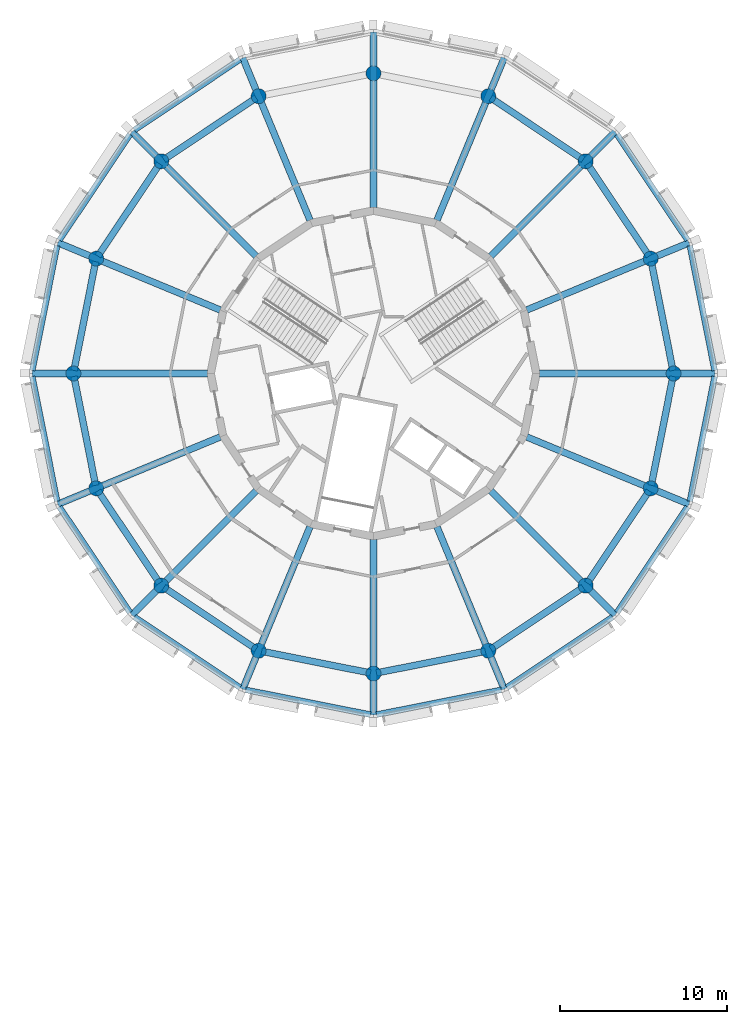
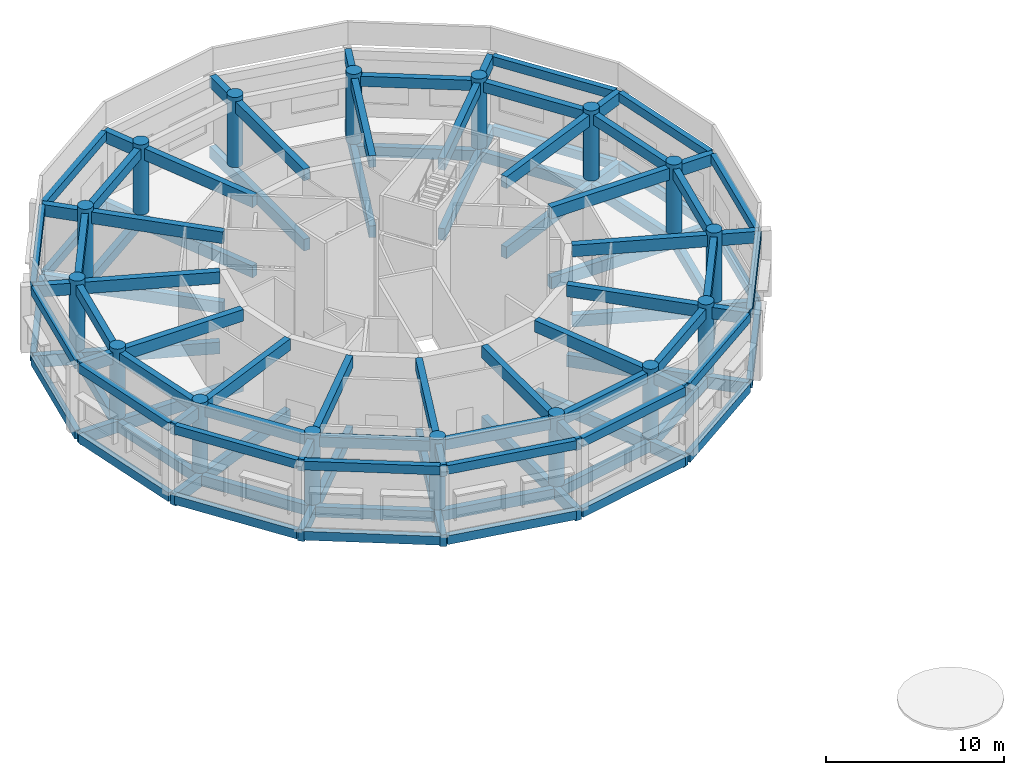
# One storey, part 1 of 8: 86 beams, 16 columns.
"""IFC4 building model written with IfcOpenShell, lengths in metres."""

from ifc_helpers import new_model, si_unit, direction, frame, origin, origin_2d, place, context, subcontext, project, spatial, rectangle, circle, extrude, material, material_profile, profile_set, type_object, element, save


model = new_model("IFC4")

# Units and contexts
model_context = context("Model", 3, precision=1e-05, world=origin(), true_north=direction((0.0, 1.0)))
body_context = subcontext(model_context, "Body", "Model", "MODEL_VIEW")
ifc_project = project(units=[si_unit("LENGTHUNIT", "METRE"), si_unit("AREAUNIT", "SQUARE_METRE"), si_unit("VOLUMEUNIT", "CUBIC_METRE"), si_unit("PLANEANGLEUNIT", "RADIAN"), si_unit("MASSUNIT", "GRAM", prefix="KILO")], contexts=[model_context])

# Site, building, storey
site_placement = place(None, origin())
site = spatial("IfcSite", under=ifc_project, at=site_placement, CompositionType="ELEMENT")
building_placement = place(site_placement, origin())
building = spatial("IfcBuilding", under=site, at=building_placement, Name="Ceibo Conservatory and Research Tower", CompositionType="ELEMENT")
storey_placement = place(building_placement, frame((0.0, 0.0, 20.39990234375)))
storey = spatial("IfcBuildingStorey", under=building, at=storey_placement, Name="L04", CompositionType="ELEMENT", Elevation=20.39990234375)

# Columns
ifc_material = material(Name="Concrete C35/45", Category="concrete")
ifc_material_profile_1 = material_profile(ifc_material, circle(Radius=0.449951171875, at=origin_2d()), Name="RC D900")
ifc_profile_set_1 = profile_set([ifc_material_profile_1], Name="Concrete C35/45")
column_type = type_object("IfcColumnType", Name="RC column D900 C35", PredefinedType="COLUMN", material=ifc_profile_set_1)
for number, where, z_axis, x_axis, name in (
    (1, (66.0, 120.0, 0.0), (0.0, 0.0, 1.0), (1.0, 0.0, 0.0), "Column R1 L04"),
    (2, (64.6298828125, 126.88818359375, 0.0), (0.0, 0.0, 1.0), (1.0, 0.0, 0.0), "Column R2 L04"),
    (3, (60.72802734375, 132.72802734375, 0.0), (0.0, 0.0, 1.0), (1.0, 0.0, 0.0), "Column R3 L04"),
    (4, (54.88818359375, 136.6298828125, 0.0), (0.0, 0.0, 1.0), (1.0, 0.0, 0.0), "Column R4 L04"),
    (5, (48.0, 138.0, 0.0), (0.0, 0.0, 1.0), (1.0, 0.0, 0.0), "Column R5 L04"),
    (6, (41.11181640625, 136.6298828125, 0.0), (0.0, 0.0, 1.0), (1.0, 0.0, 0.0), "Column R6 L04"),
    (7, (35.27197265625, 132.72802734375, 0.0), (0.0, 0.0, 1.0), (1.0, 0.0, 0.0), "Column R7 L04"),
    (8, (31.3701171875, 126.88818359375, 0.0), (0.0, 0.0, 1.0), (1.0, 0.0, 0.0), "Column R8 L04"),
    (9, (30.0, 120.0, 0.0), (0.0, 0.0, 1.0), (1.0, 0.0, 0.0), "Column R9 L04"),
    (10, (31.3701171875, 113.11181640625, 0.0), (0.0, 0.0, 1.0), (1.0, 0.0, 0.0), "Column R10 L04"),
    (11, (35.27197265625, 107.27197265625, 0.0), (0.0, 0.0, 1.0), (1.0, 0.0, 0.0), "Column R11 L04"),
    (12, (41.11181640625, 103.3701171875, 0.0), (0.0, 0.0, 1.0), (1.0, 0.0, 0.0), "Column R12 L04"),
    (13, (48.0, 102.0, 0.0), (0.0, 0.0, 1.0), (1.0, 0.0, 0.0), "Column R13 L04"),
    (14, (54.88818359375, 103.3701171875, 0.0), (0.0, 0.0, 1.0), (1.0, 0.0, 0.0), "Column R14 L04"),
    (15, (60.72802734375, 107.27197265625, 0.0), (0.0, 0.0, 1.0), (1.0, 0.0, 0.0), "Column R15 L04"),
    (16, (64.6298828125, 113.11181640625, 0.0), (0.0, 0.0, 1.0), (1.0, 0.0, 0.0), "Column R16 L04"),
):
    element("IfcColumn", number, at=place(storey_placement, frame(where, z_axis=z_axis, x_axis=x_axis)), inside=storey, type_object=column_type, Name=name, PredefinedType="COLUMN", context=body_context, shape_type="SweptSolid", body=[
        extrude(circle(Radius=0.449951171875, at=origin_2d()), origin(), (0.0, 0.0, 1.0), 4.800048828125),
    ])

# Beams
ifc_material_profile_2 = material_profile(ifc_material, rectangle(XDim=0.35009765625, YDim=0.60009765625, at=origin_2d()), Name="RC 350x600")
ifc_profile_set_2 = profile_set([ifc_material_profile_2], Name="Concrete C35/45")
beam_type_1 = type_object("IfcBeamType", Name="RC beam 350x600 C35", PredefinedType="BEAM", material=ifc_profile_set_2)
for number, where, z_axis, x_axis, name in (
    (17, (68.464111328125, 120.180419921875, -0.579833984375), (-0.195100828433, 0.980783190489, 0.0), (-0.980783190489, -0.195100828433, 0.0), "Edge beam 01 L04"),
    (18, (66.83740234375, 127.998046875, -0.579833984375), (-0.555578495676, 0.831464091312, 0.0), (-0.831464091312, -0.555578495676, 0.0), "Edge beam 02 L04"),
    (19, (40.001953125, 138.83740234375, -0.579833984375), (-0.831464091312, -0.555578495676, 0.0), (0.555578495676, -0.831464091312, 0.0), "Edge beam 06 L04"),
    (20, (33.402099609375, 134.3427734375, -0.579833984375), (-0.555578495676, -0.831464091312, 0.0), (0.831464091312, -0.555578495676, 0.0), "Edge beam 07 L04"),
    (21, (29.024658203125, 127.66455078125, -0.579833984375), (-0.195100828433, -0.980783190489, 0.0), (0.980783190489, -0.195100828433, 0.0), "Edge beam 08 L04"),
    (22, (27.535888671875, 119.819580078125, -0.579833984375), (0.195100828433, -0.980783190489, 0.0), (0.980783190489, 0.195100828433, 0.0), "Edge beam 09 L04"),
    (23, (29.16259765625, 112.001953125, -0.579833984375), (0.555578495676, -0.831464091312, 0.0), (0.831464091312, 0.555578495676, 0.0), "Edge beam 10 L04"),
    (24, (33.6572265625, 105.402099609375, -0.579833984375), (0.831464091312, -0.555578495676, 0.0), (0.555578495676, 0.831464091312, 0.0), "Edge beam 11 L04"),
    (25, (40.33544921875, 101.024658203125, -0.579833984375), (0.980783190489, -0.195100828433, 0.0), (0.195100828433, 0.980783190489, 0.0), "Edge beam 12 L04"),
    (26, (48.180419921875, 99.535888671875, -0.579833984375), (0.980783190489, 0.195100828433, 0.0), (-0.195100828433, 0.980783190489, 0.0), "Edge beam 13 L04"),
    (27, (55.998046875, 101.16259765625, -0.579833984375), (0.831464091312, 0.555578495676, 0.0), (-0.555578495676, 0.831464091312, 0.0), "Edge beam 14 L04"),
    (28, (62.597900390625, 105.6572265625, -0.579833984375), (0.555578495676, 0.831464091312, 0.0), (-0.831464091312, 0.555578495676, 0.0), "Edge beam 15 L04"),
    (29, (66.975341796875, 112.33544921875, -0.579833984375), (0.195100828433, 0.980783190489, 0.0), (-0.980783190489, 0.195100828433, 0.0), "Edge beam 16 L04"),
    (30, (68.464111328125, 120.180419921875, 4.22021484375), (-0.195100828433, 0.980783190489, 0.0), (-0.980783190489, -0.195100828433, 0.0), "Edge beam 01 L04"),
    (31, (66.83740234375, 127.998046875, 4.22021484375), (-0.555578495676, 0.831464091312, 0.0), (-0.831464091312, -0.555578495676, 0.0), "Edge beam 02 L04"),
    (32, (40.001953125, 138.83740234375, 4.22021484375), (-0.831464091312, -0.555578495676, 0.0), (0.555578495676, -0.831464091312, 0.0), "Edge beam 06 L04"),
    (33, (33.402099609375, 134.3427734375, 4.22021484375), (-0.555578495676, -0.831464091312, 0.0), (0.831464091312, -0.555578495676, 0.0), "Edge beam 07 L04"),
    (34, (29.024658203125, 127.66455078125, 4.22021484375), (-0.195100828433, -0.980783190489, 0.0), (0.980783190489, -0.195100828433, 0.0), "Edge beam 08 L04"),
    (35, (27.535888671875, 119.819580078125, 4.22021484375), (0.195100828433, -0.980783190489, 0.0), (0.980783190489, 0.195100828433, 0.0), "Edge beam 09 L04"),
    (36, (29.16259765625, 112.001953125, 4.22021484375), (0.555578495676, -0.831464091312, 0.0), (0.831464091312, 0.555578495676, 0.0), "Edge beam 10 L04"),
    (37, (33.6572265625, 105.402099609375, 4.22021484375), (0.831464091312, -0.555578495676, 0.0), (0.555578495676, 0.831464091312, 0.0), "Edge beam 11 L04"),
    (38, (40.33544921875, 101.024658203125, 4.22021484375), (0.980783190489, -0.195100828433, 0.0), (0.195100828433, 0.980783190489, 0.0), "Edge beam 12 L04"),
    (39, (48.180419921875, 99.535888671875, 4.22021484375), (0.980783190489, 0.195100828433, 0.0), (-0.195100828433, 0.980783190489, 0.0), "Edge beam 13 L04"),
    (40, (55.998046875, 101.16259765625, 4.22021484375), (0.831464091312, 0.555578495676, 0.0), (-0.555578495676, 0.831464091312, 0.0), "Edge beam 14 L04"),
    (41, (62.597900390625, 105.6572265625, 4.22021484375), (0.555578495676, 0.831464091312, 0.0), (-0.831464091312, 0.555578495676, 0.0), "Edge beam 15 L04"),
    (42, (66.975341796875, 112.33544921875, 4.22021484375), (0.195100828433, 0.980783190489, 0.0), (-0.980783190489, 0.195100828433, 0.0), "Edge beam 16 L04"),
):
    element("IfcBeam", number, at=place(storey_placement, frame(where, z_axis=z_axis, x_axis=x_axis)), inside=storey, type_object=beam_type_1, Name=name, PredefinedType="BEAM", context=body_context, shape_type="SweptSolid", body=[
        extrude(rectangle(XDim=0.35009765625, YDim=0.60009765625, at=origin_2d()), origin(), (0.0, 0.0, 1.0), 7.630859375),
    ])
ifc_material_profile_3 = material_profile(ifc_material, rectangle(XDim=0.39990234375, YDim=0.699951171875, at=origin_2d()), Name="RC 400x700")
ifc_profile_set_3 = profile_set([ifc_material_profile_3], Name="Concrete C35/45")
beam_type_2 = type_object("IfcBeamType", Name="RC beam 400x700 C35", PredefinedType="BEAM", material=ifc_profile_set_3)
beam_1_placement = place(storey_placement, frame((65.964111328125, 120.180419921875, -0.6298828125), z_axis=(-0.19507903146, 0.980787526167, 0.0), x_axis=(-0.980787526167, -0.19507903146, 0.0)))
element("IfcBeam", 43, at=beam_1_placement, inside=storey, type_object=beam_type_2, Name="Ring beam 01 L04", PredefinedType="BEAM", context=body_context, shape_type="SweptSolid", body=[
    extrude(rectangle(XDim=0.39990234375, YDim=0.699951171875, at=origin_2d()), origin(), (0.0, 0.0, 1.0), 6.655517578125),
])
for number, where, z_axis, x_axis, name in (
    (44, (64.527587890625, 127.041259765625, -0.6298828125), (-0.555571830572, 0.83146854485, 0.0), (-0.83146854485, -0.555571830572, 0.0), "Ring beam 02 L04"),
    (45, (60.574951171875, 132.830078125, -0.6298828125), (-0.83146854485, 0.555571830572, 0.0), (-0.555571830572, -0.83146854485, 0.0), "Ring beam 03 L04"),
    (46, (40.958740234375, 136.527587890625, -0.6298828125), (-0.83146854485, -0.555571830572, 0.0), (0.555571830572, -0.83146854485, 0.0), "Ring beam 06 L04"),
    (47, (35.169921875, 132.574951171875, -0.6298828125), (-0.555571830572, -0.83146854485, 0.0), (0.83146854485, -0.555571830572, 0.0), "Ring beam 07 L04"),
):
    element("IfcBeam", number, at=place(storey_placement, frame(where, z_axis=z_axis, x_axis=x_axis)), inside=storey, type_object=beam_type_2, Name=name, PredefinedType="BEAM", context=body_context, shape_type="SweptSolid", body=[
        extrude(rectangle(XDim=0.39990234375, YDim=0.699951171875, at=origin_2d()), origin(), (0.0, 0.0, 1.0), 6.6552734375),
    ])
for number, where, z_axis, x_axis, name in (
    (48, (31.334228515625, 126.7080078125, -0.6298828125), (-0.19507903146, -0.980787526167, 0.0), (0.980787526167, -0.19507903146, 0.0), "Ring beam 08 L04"),
    (49, (30.035888671875, 119.819580078125, -0.6298828125), (0.19507903146, -0.980787526167, 0.0), (0.980787526167, 0.19507903146, 0.0), "Ring beam 09 L04"),
):
    element("IfcBeam", number, at=place(storey_placement, frame(where, z_axis=z_axis, x_axis=x_axis)), inside=storey, type_object=beam_type_2, Name=name, PredefinedType="BEAM", context=body_context, shape_type="SweptSolid", body=[
        extrude(rectangle(XDim=0.39990234375, YDim=0.699951171875, at=origin_2d()), origin(), (0.0, 0.0, 1.0), 6.655517578125),
    ])
for number, where, z_axis, x_axis, name in (
    (50, (31.472412109375, 112.958740234375, -0.6298828125), (0.555571830572, -0.83146854485, 0.0), (0.83146854485, 0.555571830572, 0.0), "Ring beam 10 L04"),
    (51, (35.425048828125, 107.169921875, -0.6298828125), (0.83146854485, -0.555571830572, 0.0), (0.555571830572, 0.83146854485, 0.0), "Ring beam 11 L04"),
):
    element("IfcBeam", number, at=place(storey_placement, frame(where, z_axis=z_axis, x_axis=x_axis)), inside=storey, type_object=beam_type_2, Name=name, PredefinedType="BEAM", context=body_context, shape_type="SweptSolid", body=[
        extrude(rectangle(XDim=0.39990234375, YDim=0.699951171875, at=origin_2d()), origin(), (0.0, 0.0, 1.0), 6.6552734375),
    ])
for number, where, z_axis, x_axis, name in (
    (52, (41.2919921875, 103.334228515625, -0.6298828125), (0.980787526167, -0.19507903146, 0.0), (0.19507903146, 0.980787526167, 0.0), "Ring beam 12 L04"),
    (53, (48.180419921875, 102.035888671875, -0.6298828125), (0.980787526167, 0.19507903146, 0.0), (-0.19507903146, 0.980787526167, 0.0), "Ring beam 13 L04"),
):
    element("IfcBeam", number, at=place(storey_placement, frame(where, z_axis=z_axis, x_axis=x_axis)), inside=storey, type_object=beam_type_2, Name=name, PredefinedType="BEAM", context=body_context, shape_type="SweptSolid", body=[
        extrude(rectangle(XDim=0.39990234375, YDim=0.699951171875, at=origin_2d()), origin(), (0.0, 0.0, 1.0), 6.655517578125),
    ])
for number, where, z_axis, x_axis, name in (
    (54, (55.041259765625, 103.472412109375, -0.6298828125), (0.83146854485, 0.555571830572, 0.0), (-0.555571830572, 0.83146854485, 0.0), "Ring beam 14 L04"),
    (55, (60.830078125, 107.425048828125, -0.6298828125), (0.555571830572, 0.83146854485, 0.0), (-0.83146854485, 0.555571830572, 0.0), "Ring beam 15 L04"),
):
    element("IfcBeam", number, at=place(storey_placement, frame(where, z_axis=z_axis, x_axis=x_axis)), inside=storey, type_object=beam_type_2, Name=name, PredefinedType="BEAM", context=body_context, shape_type="SweptSolid", body=[
        extrude(rectangle(XDim=0.39990234375, YDim=0.699951171875, at=origin_2d()), origin(), (0.0, 0.0, 1.0), 6.6552734375),
    ])
for number, where, z_axis, x_axis, name in (
    (56, (64.665771484375, 113.2919921875, -0.6298828125), (0.19507903146, 0.980787526167, 0.0), (-0.980787526167, 0.19507903146, 0.0), "Ring beam 16 L04"),
    (57, (65.964111328125, 120.180419921875, 4.170166015625), (-0.19507903146, 0.980787526167, 0.0), (-0.980787526167, -0.19507903146, 0.0), "Ring beam 01 L04"),
):
    element("IfcBeam", number, at=place(storey_placement, frame(where, z_axis=z_axis, x_axis=x_axis)), inside=storey, type_object=beam_type_2, Name=name, PredefinedType="BEAM", context=body_context, shape_type="SweptSolid", body=[
        extrude(rectangle(XDim=0.39990234375, YDim=0.699951171875, at=origin_2d()), origin(), (0.0, 0.0, 1.0), 6.655517578125),
    ])
for number, where, z_axis, x_axis, name in (
    (58, (64.527587890625, 127.041259765625, 4.170166015625), (-0.555571830572, 0.83146854485, 0.0), (-0.83146854485, -0.555571830572, 0.0), "Ring beam 02 L04"),
    (59, (60.574951171875, 132.830078125, 4.170166015625), (-0.83146854485, 0.555571830572, 0.0), (-0.555571830572, -0.83146854485, 0.0), "Ring beam 03 L04"),
    (60, (40.958740234375, 136.527587890625, 4.170166015625), (-0.83146854485, -0.555571830572, 0.0), (0.555571830572, -0.83146854485, 0.0), "Ring beam 06 L04"),
    (61, (35.169921875, 132.574951171875, 4.170166015625), (-0.555571830572, -0.83146854485, 0.0), (0.83146854485, -0.555571830572, 0.0), "Ring beam 07 L04"),
):
    element("IfcBeam", number, at=place(storey_placement, frame(where, z_axis=z_axis, x_axis=x_axis)), inside=storey, type_object=beam_type_2, Name=name, PredefinedType="BEAM", context=body_context, shape_type="SweptSolid", body=[
        extrude(rectangle(XDim=0.39990234375, YDim=0.699951171875, at=origin_2d()), origin(), (0.0, 0.0, 1.0), 6.6552734375),
    ])
for number, where, z_axis, x_axis, name in (
    (62, (31.334228515625, 126.7080078125, 4.170166015625), (-0.19507903146, -0.980787526167, 0.0), (0.980787526167, -0.19507903146, 0.0), "Ring beam 08 L04"),
    (63, (30.035888671875, 119.819580078125, 4.170166015625), (0.19507903146, -0.980787526167, 0.0), (0.980787526167, 0.19507903146, 0.0), "Ring beam 09 L04"),
):
    element("IfcBeam", number, at=place(storey_placement, frame(where, z_axis=z_axis, x_axis=x_axis)), inside=storey, type_object=beam_type_2, Name=name, PredefinedType="BEAM", context=body_context, shape_type="SweptSolid", body=[
        extrude(rectangle(XDim=0.39990234375, YDim=0.699951171875, at=origin_2d()), origin(), (0.0, 0.0, 1.0), 6.655517578125),
    ])
for number, where, z_axis, x_axis, name in (
    (64, (31.472412109375, 112.958740234375, 4.170166015625), (0.555571830572, -0.83146854485, 0.0), (0.83146854485, 0.555571830572, 0.0), "Ring beam 10 L04"),
    (65, (35.425048828125, 107.169921875, 4.170166015625), (0.83146854485, -0.555571830572, 0.0), (0.555571830572, 0.83146854485, 0.0), "Ring beam 11 L04"),
):
    element("IfcBeam", number, at=place(storey_placement, frame(where, z_axis=z_axis, x_axis=x_axis)), inside=storey, type_object=beam_type_2, Name=name, PredefinedType="BEAM", context=body_context, shape_type="SweptSolid", body=[
        extrude(rectangle(XDim=0.39990234375, YDim=0.699951171875, at=origin_2d()), origin(), (0.0, 0.0, 1.0), 6.6552734375),
    ])
for number, where, z_axis, x_axis, name in (
    (66, (41.2919921875, 103.334228515625, 4.170166015625), (0.980787526167, -0.19507903146, 0.0), (0.19507903146, 0.980787526167, 0.0), "Ring beam 12 L04"),
    (67, (48.180419921875, 102.035888671875, 4.170166015625), (0.980787526167, 0.19507903146, 0.0), (-0.19507903146, 0.980787526167, 0.0), "Ring beam 13 L04"),
):
    element("IfcBeam", number, at=place(storey_placement, frame(where, z_axis=z_axis, x_axis=x_axis)), inside=storey, type_object=beam_type_2, Name=name, PredefinedType="BEAM", context=body_context, shape_type="SweptSolid", body=[
        extrude(rectangle(XDim=0.39990234375, YDim=0.699951171875, at=origin_2d()), origin(), (0.0, 0.0, 1.0), 6.655517578125),
    ])
for number, where, z_axis, x_axis, name in (
    (68, (55.041259765625, 103.472412109375, 4.170166015625), (0.83146854485, 0.555571830572, 0.0), (-0.555571830572, 0.83146854485, 0.0), "Ring beam 14 L04"),
    (69, (60.830078125, 107.425048828125, 4.170166015625), (0.555571830572, 0.83146854485, 0.0), (-0.83146854485, 0.555571830572, 0.0), "Ring beam 15 L04"),
):
    element("IfcBeam", number, at=place(storey_placement, frame(where, z_axis=z_axis, x_axis=x_axis)), inside=storey, type_object=beam_type_2, Name=name, PredefinedType="BEAM", context=body_context, shape_type="SweptSolid", body=[
        extrude(rectangle(XDim=0.39990234375, YDim=0.699951171875, at=origin_2d()), origin(), (0.0, 0.0, 1.0), 6.6552734375),
    ])
beam_2_placement = place(storey_placement, frame((64.665771484375, 113.2919921875, 4.170166015625), z_axis=(0.19507903146, 0.980787526167, 0.0), x_axis=(-0.980787526167, 0.19507903146, 0.0)))
element("IfcBeam", 70, at=beam_2_placement, inside=storey, type_object=beam_type_2, Name="Ring beam 16 L04", PredefinedType="BEAM", context=body_context, shape_type="SweptSolid", body=[
    extrude(rectangle(XDim=0.39990234375, YDim=0.699951171875, at=origin_2d()), origin(), (0.0, 0.0, 1.0), 6.655517578125),
])
ifc_material_profile_4 = material_profile(ifc_material, rectangle(XDim=0.39990234375, YDim=0.800048828125, at=origin_2d()), Name="RC 400x800")
ifc_profile_set_4 = profile_set([ifc_material_profile_4], Name="Concrete C35/45")
beam_type_3 = type_object("IfcBeamType", Name="RC beam 400x800 C35", PredefinedType="BEAM", material=ifc_profile_set_4)
beam_3_placement = place(storey_placement, frame((57.949951171875, 120.0, -0.679931640625), z_axis=(1.0, 0.0, 0.0), x_axis=(0.0, 1.0, 0.0)))
element("IfcBeam", 71, at=beam_3_placement, inside=storey, type_object=beam_type_3, Name="Radial beam R1 L04", PredefinedType="BEAM", context=body_context, shape_type="SweptSolid", body=[
    extrude(rectangle(XDim=0.39990234375, YDim=0.800048828125, at=origin_2d()), origin(), (0.0, 0.0, 1.0), 10.545166015625),
])
beam_4_placement = place(storey_placement, frame((57.192626953125, 123.8076171875, -0.679931640625), z_axis=(0.923877715229, 0.382687819643, 0.0), x_axis=(-0.382687819643, 0.923877715229, 0.0)))
element("IfcBeam", 72, at=beam_4_placement, inside=storey, type_object=beam_type_3, Name="Radial beam R2 L04", PredefinedType="BEAM", context=body_context, shape_type="SweptSolid", body=[
    extrude(rectangle(XDim=0.39990234375, YDim=0.800048828125, at=origin_2d()), origin(), (0.0, 0.0, 1.0), 10.544921875),
])
beam_5_placement = place(storey_placement, frame((55.03564453125, 127.03564453125, -0.679931640625), z_axis=(0.707106781187, 0.707106781187, 0.0), x_axis=(-0.707106781187, 0.707106781187, 0.0)))
element("IfcBeam", 73, at=beam_5_placement, inside=storey, type_object=beam_type_3, Name="Radial beam R3 L04", PredefinedType="BEAM", context=body_context, shape_type="SweptSolid", body=[
    extrude(rectangle(XDim=0.39990234375, YDim=0.800048828125, at=origin_2d()), origin(), (0.0, 0.0, 1.0), 10.545166015625),
])
beam_6_placement = place(storey_placement, frame((51.8076171875, 129.192626953125, -0.679931640625), z_axis=(0.382687819643, 0.923877715229, 0.0), x_axis=(-0.923877715229, 0.382687819643, 0.0)))
element("IfcBeam", 74, at=beam_6_placement, inside=storey, type_object=beam_type_3, Name="Radial beam R4 L04", PredefinedType="BEAM", context=body_context, shape_type="SweptSolid", body=[
    extrude(rectangle(XDim=0.39990234375, YDim=0.800048828125, at=origin_2d()), origin(), (0.0, 0.0, 1.0), 10.544921875),
])
beam_7_placement = place(storey_placement, frame((48.0, 129.949951171875, -0.679931640625), z_axis=(0.0, 1.0, 0.0), x_axis=(-1.0, 0.0, 0.0)))
element("IfcBeam", 75, at=beam_7_placement, inside=storey, type_object=beam_type_3, Name="Radial beam R5 L04", PredefinedType="BEAM", context=body_context, shape_type="SweptSolid", body=[
    extrude(rectangle(XDim=0.39990234375, YDim=0.800048828125, at=origin_2d()), origin(), (0.0, 0.0, 1.0), 10.545166015625),
])
beam_8_placement = place(storey_placement, frame((44.1923828125, 129.192626953125, -0.679931640625), z_axis=(-0.382687819643, 0.923877715229, 0.0), x_axis=(-0.923877715229, -0.382687819643, 0.0)))
element("IfcBeam", 76, at=beam_8_placement, inside=storey, type_object=beam_type_3, Name="Radial beam R6 L04", PredefinedType="BEAM", context=body_context, shape_type="SweptSolid", body=[
    extrude(rectangle(XDim=0.39990234375, YDim=0.800048828125, at=origin_2d()), origin(), (0.0, 0.0, 1.0), 10.544921875),
])
beam_9_placement = place(storey_placement, frame((40.96435546875, 127.03564453125, -0.679931640625), z_axis=(-0.707106781187, 0.707106781187, 0.0), x_axis=(-0.707106781187, -0.707106781187, 0.0)))
element("IfcBeam", 77, at=beam_9_placement, inside=storey, type_object=beam_type_3, Name="Radial beam R7 L04", PredefinedType="BEAM", context=body_context, shape_type="SweptSolid", body=[
    extrude(rectangle(XDim=0.39990234375, YDim=0.800048828125, at=origin_2d()), origin(), (0.0, 0.0, 1.0), 10.545166015625),
])
beam_10_placement = place(storey_placement, frame((38.807373046875, 123.8076171875, -0.679931640625), z_axis=(-0.923877715229, 0.382687819643, 0.0), x_axis=(-0.382687819643, -0.923877715229, 0.0)))
element("IfcBeam", 78, at=beam_10_placement, inside=storey, type_object=beam_type_3, Name="Radial beam R8 L04", PredefinedType="BEAM", context=body_context, shape_type="SweptSolid", body=[
    extrude(rectangle(XDim=0.39990234375, YDim=0.800048828125, at=origin_2d()), origin(), (0.0, 0.0, 1.0), 10.544921875),
])
beam_11_placement = place(storey_placement, frame((38.050048828125, 120.0, -0.679931640625), z_axis=(-1.0, 0.0, 0.0), x_axis=(0.0, -1.0, 0.0)))
element("IfcBeam", 79, at=beam_11_placement, inside=storey, type_object=beam_type_3, Name="Radial beam R9 L04", PredefinedType="BEAM", context=body_context, shape_type="SweptSolid", body=[
    extrude(rectangle(XDim=0.39990234375, YDim=0.800048828125, at=origin_2d()), origin(), (0.0, 0.0, 1.0), 10.545166015625),
])
beam_12_placement = place(storey_placement, frame((38.807373046875, 116.1923828125, -0.679931640625), z_axis=(-0.923877715229, -0.382687819643, 0.0), x_axis=(0.382687819643, -0.923877715229, 0.0)))
element("IfcBeam", 80, at=beam_12_placement, inside=storey, type_object=beam_type_3, Name="Radial beam R10 L04", PredefinedType="BEAM", context=body_context, shape_type="SweptSolid", body=[
    extrude(rectangle(XDim=0.39990234375, YDim=0.800048828125, at=origin_2d()), origin(), (0.0, 0.0, 1.0), 10.544921875),
])
beam_13_placement = place(storey_placement, frame((40.96435546875, 112.96435546875, -0.679931640625), z_axis=(-0.707106781187, -0.707106781187, 0.0), x_axis=(0.707106781187, -0.707106781187, 0.0)))
element("IfcBeam", 81, at=beam_13_placement, inside=storey, type_object=beam_type_3, Name="Radial beam R11 L04", PredefinedType="BEAM", context=body_context, shape_type="SweptSolid", body=[
    extrude(rectangle(XDim=0.39990234375, YDim=0.800048828125, at=origin_2d()), origin(), (0.0, 0.0, 1.0), 10.545166015625),
])
beam_14_placement = place(storey_placement, frame((44.1923828125, 110.807373046875, -0.679931640625), z_axis=(-0.382687819643, -0.923877715229, 0.0), x_axis=(0.923877715229, -0.382687819643, 0.0)))
element("IfcBeam", 82, at=beam_14_placement, inside=storey, type_object=beam_type_3, Name="Radial beam R12 L04", PredefinedType="BEAM", context=body_context, shape_type="SweptSolid", body=[
    extrude(rectangle(XDim=0.39990234375, YDim=0.800048828125, at=origin_2d()), origin(), (0.0, 0.0, 1.0), 10.544921875),
])
beam_15_placement = place(storey_placement, frame((48.0, 110.050048828125, -0.679931640625), z_axis=(0.0, -1.0, 0.0), x_axis=(1.0, 0.0, 0.0)))
element("IfcBeam", 83, at=beam_15_placement, inside=storey, type_object=beam_type_3, Name="Radial beam R13 L04", PredefinedType="BEAM", context=body_context, shape_type="SweptSolid", body=[
    extrude(rectangle(XDim=0.39990234375, YDim=0.800048828125, at=origin_2d()), origin(), (0.0, 0.0, 1.0), 10.545166015625),
])
beam_16_placement = place(storey_placement, frame((51.8076171875, 110.807373046875, -0.679931640625), z_axis=(0.382687819643, -0.923877715229, 0.0), x_axis=(0.923877715229, 0.382687819643, 0.0)))
element("IfcBeam", 84, at=beam_16_placement, inside=storey, type_object=beam_type_3, Name="Radial beam R14 L04", PredefinedType="BEAM", context=body_context, shape_type="SweptSolid", body=[
    extrude(rectangle(XDim=0.39990234375, YDim=0.800048828125, at=origin_2d()), origin(), (0.0, 0.0, 1.0), 10.544921875),
])
beam_17_placement = place(storey_placement, frame((55.03564453125, 112.96435546875, -0.679931640625), z_axis=(0.707106781187, -0.707106781187, 0.0), x_axis=(0.707106781187, 0.707106781187, 0.0)))
element("IfcBeam", 85, at=beam_17_placement, inside=storey, type_object=beam_type_3, Name="Radial beam R15 L04", PredefinedType="BEAM", context=body_context, shape_type="SweptSolid", body=[
    extrude(rectangle(XDim=0.39990234375, YDim=0.800048828125, at=origin_2d()), origin(), (0.0, 0.0, 1.0), 10.545166015625),
])
beam_18_placement = place(storey_placement, frame((57.192626953125, 116.1923828125, -0.679931640625), z_axis=(0.923877715229, -0.382687819643, 0.0), x_axis=(0.382687819643, 0.923877715229, 0.0)))
element("IfcBeam", 86, at=beam_18_placement, inside=storey, type_object=beam_type_3, Name="Radial beam R16 L04", PredefinedType="BEAM", context=body_context, shape_type="SweptSolid", body=[
    extrude(rectangle(XDim=0.39990234375, YDim=0.800048828125, at=origin_2d()), origin(), (0.0, 0.0, 1.0), 10.544921875),
])
beam_19_placement = place(storey_placement, frame((57.949951171875, 120.0, 4.1201171875), z_axis=(1.0, 0.0, 0.0), x_axis=(0.0, 1.0, 0.0)))
element("IfcBeam", 87, at=beam_19_placement, inside=storey, type_object=beam_type_3, Name="Radial beam R1 L04", PredefinedType="BEAM", context=body_context, shape_type="SweptSolid", body=[
    extrude(rectangle(XDim=0.39990234375, YDim=0.800048828125, at=origin_2d()), origin(), (0.0, 0.0, 1.0), 10.545166015625),
])
beam_20_placement = place(storey_placement, frame((57.192626953125, 123.8076171875, 4.1201171875), z_axis=(0.923877715229, 0.382687819643, 0.0), x_axis=(-0.382687819643, 0.923877715229, 0.0)))
element("IfcBeam", 88, at=beam_20_placement, inside=storey, type_object=beam_type_3, Name="Radial beam R2 L04", PredefinedType="BEAM", context=body_context, shape_type="SweptSolid", body=[
    extrude(rectangle(XDim=0.39990234375, YDim=0.800048828125, at=origin_2d()), origin(), (0.0, 0.0, 1.0), 10.544921875),
])
beam_21_placement = place(storey_placement, frame((55.03564453125, 127.03564453125, 4.1201171875), z_axis=(0.707106781187, 0.707106781187, 0.0), x_axis=(-0.707106781187, 0.707106781187, 0.0)))
element("IfcBeam", 89, at=beam_21_placement, inside=storey, type_object=beam_type_3, Name="Radial beam R3 L04", PredefinedType="BEAM", context=body_context, shape_type="SweptSolid", body=[
    extrude(rectangle(XDim=0.39990234375, YDim=0.800048828125, at=origin_2d()), origin(), (0.0, 0.0, 1.0), 10.545166015625),
])
beam_22_placement = place(storey_placement, frame((51.8076171875, 129.192626953125, 4.1201171875), z_axis=(0.382687819643, 0.923877715229, 0.0), x_axis=(-0.923877715229, 0.382687819643, 0.0)))
element("IfcBeam", 90, at=beam_22_placement, inside=storey, type_object=beam_type_3, Name="Radial beam R4 L04", PredefinedType="BEAM", context=body_context, shape_type="SweptSolid", body=[
    extrude(rectangle(XDim=0.39990234375, YDim=0.800048828125, at=origin_2d()), origin(), (0.0, 0.0, 1.0), 10.544921875),
])
beam_23_placement = place(storey_placement, frame((48.0, 129.949951171875, 4.1201171875), z_axis=(0.0, 1.0, 0.0), x_axis=(-1.0, 0.0, 0.0)))
element("IfcBeam", 91, at=beam_23_placement, inside=storey, type_object=beam_type_3, Name="Radial beam R5 L04", PredefinedType="BEAM", context=body_context, shape_type="SweptSolid", body=[
    extrude(rectangle(XDim=0.39990234375, YDim=0.800048828125, at=origin_2d()), origin(), (0.0, 0.0, 1.0), 10.545166015625),
])
beam_24_placement = place(storey_placement, frame((44.1923828125, 129.192626953125, 4.1201171875), z_axis=(-0.382687819643, 0.923877715229, 0.0), x_axis=(-0.923877715229, -0.382687819643, 0.0)))
element("IfcBeam", 92, at=beam_24_placement, inside=storey, type_object=beam_type_3, Name="Radial beam R6 L04", PredefinedType="BEAM", context=body_context, shape_type="SweptSolid", body=[
    extrude(rectangle(XDim=0.39990234375, YDim=0.800048828125, at=origin_2d()), origin(), (0.0, 0.0, 1.0), 10.544921875),
])
beam_25_placement = place(storey_placement, frame((40.96435546875, 127.03564453125, 4.1201171875), z_axis=(-0.707106781187, 0.707106781187, 0.0), x_axis=(-0.707106781187, -0.707106781187, 0.0)))
element("IfcBeam", 93, at=beam_25_placement, inside=storey, type_object=beam_type_3, Name="Radial beam R7 L04", PredefinedType="BEAM", context=body_context, shape_type="SweptSolid", body=[
    extrude(rectangle(XDim=0.39990234375, YDim=0.800048828125, at=origin_2d()), origin(), (0.0, 0.0, 1.0), 10.545166015625),
])
beam_26_placement = place(storey_placement, frame((38.807373046875, 123.8076171875, 4.1201171875), z_axis=(-0.923877715229, 0.382687819643, 0.0), x_axis=(-0.382687819643, -0.923877715229, 0.0)))
element("IfcBeam", 94, at=beam_26_placement, inside=storey, type_object=beam_type_3, Name="Radial beam R8 L04", PredefinedType="BEAM", context=body_context, shape_type="SweptSolid", body=[
    extrude(rectangle(XDim=0.39990234375, YDim=0.800048828125, at=origin_2d()), origin(), (0.0, 0.0, 1.0), 10.544921875),
])
beam_27_placement = place(storey_placement, frame((38.050048828125, 120.0, 4.1201171875), z_axis=(-1.0, 0.0, 0.0), x_axis=(0.0, -1.0, 0.0)))
element("IfcBeam", 95, at=beam_27_placement, inside=storey, type_object=beam_type_3, Name="Radial beam R9 L04", PredefinedType="BEAM", context=body_context, shape_type="SweptSolid", body=[
    extrude(rectangle(XDim=0.39990234375, YDim=0.800048828125, at=origin_2d()), origin(), (0.0, 0.0, 1.0), 10.545166015625),
])
beam_28_placement = place(storey_placement, frame((38.807373046875, 116.1923828125, 4.1201171875), z_axis=(-0.923877715229, -0.382687819643, 0.0), x_axis=(0.382687819643, -0.923877715229, 0.0)))
element("IfcBeam", 96, at=beam_28_placement, inside=storey, type_object=beam_type_3, Name="Radial beam R10 L04", PredefinedType="BEAM", context=body_context, shape_type="SweptSolid", body=[
    extrude(rectangle(XDim=0.39990234375, YDim=0.800048828125, at=origin_2d()), origin(), (0.0, 0.0, 1.0), 10.544921875),
])
beam_29_placement = place(storey_placement, frame((40.96435546875, 112.96435546875, 4.1201171875), z_axis=(-0.707106781187, -0.707106781187, 0.0), x_axis=(0.707106781187, -0.707106781187, 0.0)))
element("IfcBeam", 97, at=beam_29_placement, inside=storey, type_object=beam_type_3, Name="Radial beam R11 L04", PredefinedType="BEAM", context=body_context, shape_type="SweptSolid", body=[
    extrude(rectangle(XDim=0.39990234375, YDim=0.800048828125, at=origin_2d()), origin(), (0.0, 0.0, 1.0), 10.545166015625),
])
beam_30_placement = place(storey_placement, frame((44.1923828125, 110.807373046875, 4.1201171875), z_axis=(-0.382687819643, -0.923877715229, 0.0), x_axis=(0.923877715229, -0.382687819643, 0.0)))
element("IfcBeam", 98, at=beam_30_placement, inside=storey, type_object=beam_type_3, Name="Radial beam R12 L04", PredefinedType="BEAM", context=body_context, shape_type="SweptSolid", body=[
    extrude(rectangle(XDim=0.39990234375, YDim=0.800048828125, at=origin_2d()), origin(), (0.0, 0.0, 1.0), 10.544921875),
])
beam_31_placement = place(storey_placement, frame((48.0, 110.050048828125, 4.1201171875), z_axis=(0.0, -1.0, 0.0), x_axis=(1.0, 0.0, 0.0)))
element("IfcBeam", 99, at=beam_31_placement, inside=storey, type_object=beam_type_3, Name="Radial beam R13 L04", PredefinedType="BEAM", context=body_context, shape_type="SweptSolid", body=[
    extrude(rectangle(XDim=0.39990234375, YDim=0.800048828125, at=origin_2d()), origin(), (0.0, 0.0, 1.0), 10.545166015625),
])
beam_32_placement = place(storey_placement, frame((51.8076171875, 110.807373046875, 4.1201171875), z_axis=(0.382687819643, -0.923877715229, 0.0), x_axis=(0.923877715229, 0.382687819643, 0.0)))
element("IfcBeam", 100, at=beam_32_placement, inside=storey, type_object=beam_type_3, Name="Radial beam R14 L04", PredefinedType="BEAM", context=body_context, shape_type="SweptSolid", body=[
    extrude(rectangle(XDim=0.39990234375, YDim=0.800048828125, at=origin_2d()), origin(), (0.0, 0.0, 1.0), 10.544921875),
])
beam_33_placement = place(storey_placement, frame((55.03564453125, 112.96435546875, 4.1201171875), z_axis=(0.707106781187, -0.707106781187, 0.0), x_axis=(0.707106781187, 0.707106781187, 0.0)))
element("IfcBeam", 101, at=beam_33_placement, inside=storey, type_object=beam_type_3, Name="Radial beam R15 L04", PredefinedType="BEAM", context=body_context, shape_type="SweptSolid", body=[
    extrude(rectangle(XDim=0.39990234375, YDim=0.800048828125, at=origin_2d()), origin(), (0.0, 0.0, 1.0), 10.545166015625),
])
beam_34_placement = place(storey_placement, frame((57.192626953125, 116.1923828125, 4.1201171875), z_axis=(0.923877715229, -0.382687819643, 0.0), x_axis=(0.382687819643, 0.923877715229, 0.0)))
element("IfcBeam", 102, at=beam_34_placement, inside=storey, type_object=beam_type_3, Name="Radial beam R16 L04", PredefinedType="BEAM", context=body_context, shape_type="SweptSolid", body=[
    extrude(rectangle(XDim=0.39990234375, YDim=0.800048828125, at=origin_2d()), origin(), (0.0, 0.0, 1.0), 10.544921875),
])

save(model, "model.ifc")
